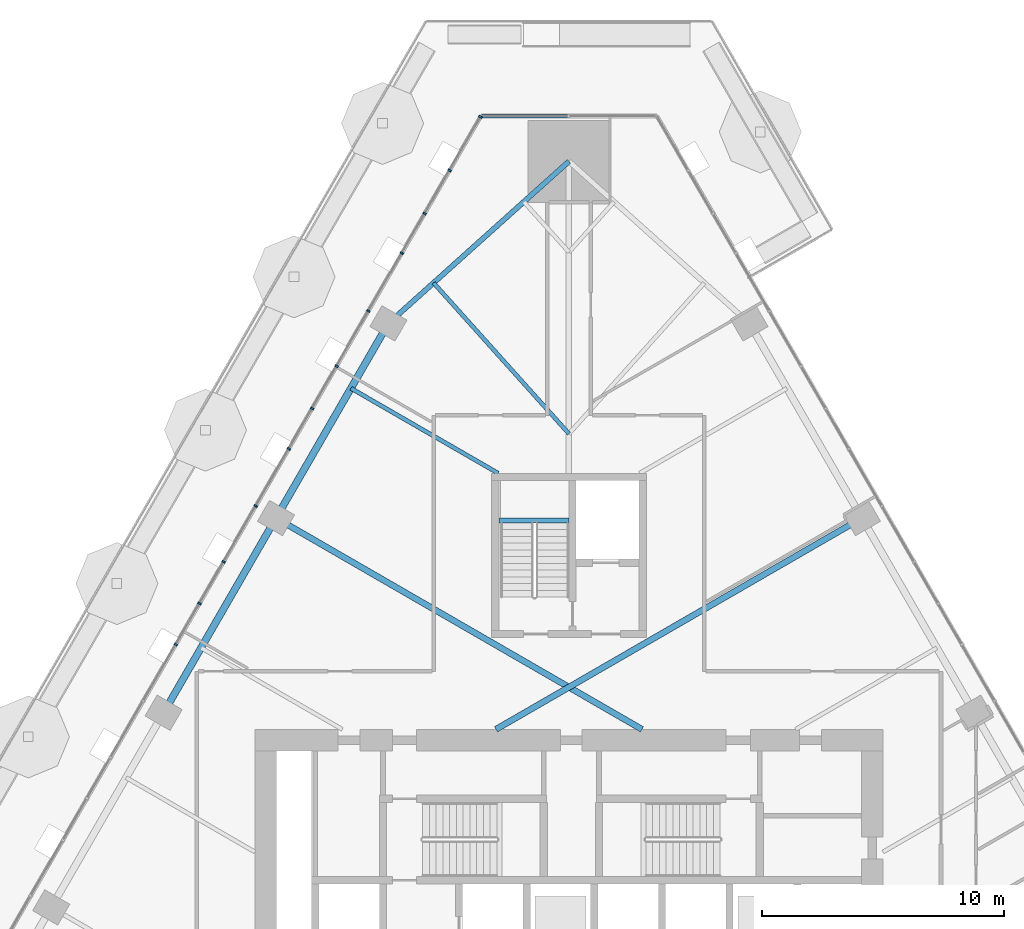
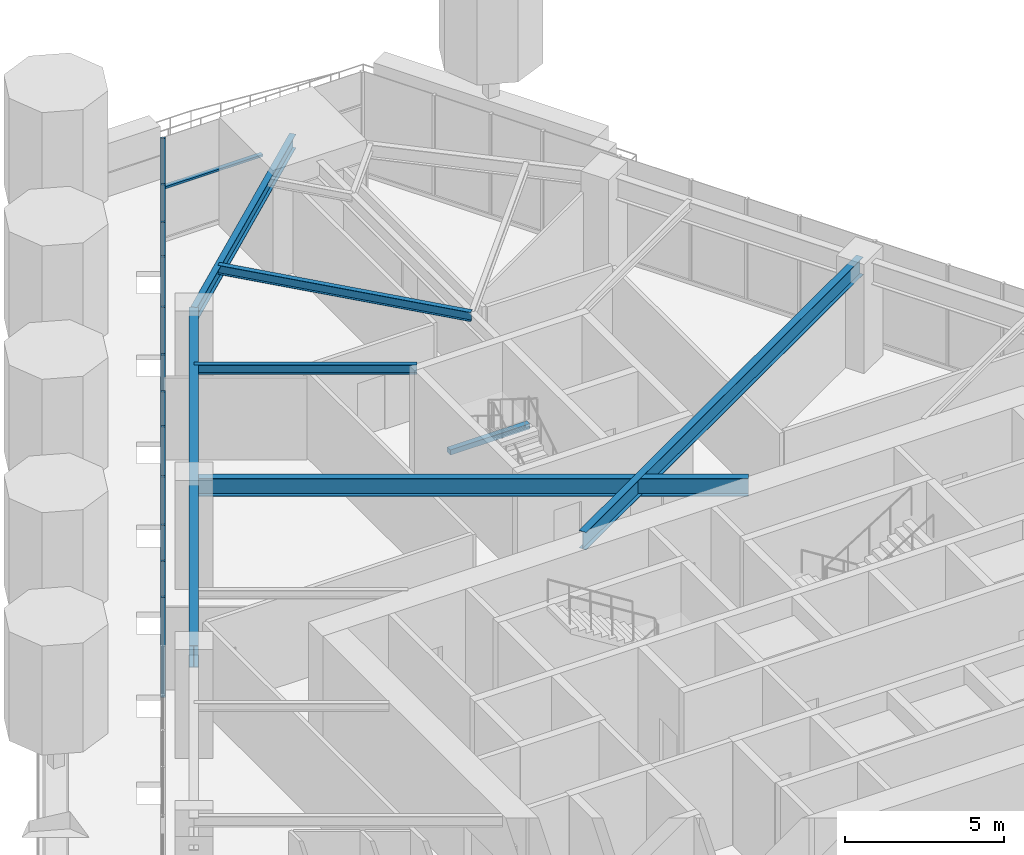
# One storey, part 9 of 25: 13 members, 7 beams, 2 elements without a shape of their own.
"""IFC4 building model written with IfcOpenShell, lengths in metres."""

from ifc_helpers import new_model, si_unit, direction, frame, origin, origin_2d, place, context, subcontext, project, spatial, rectangle, i_section, extrude, material, layer, layer_set, material_profile, profile_set, type_object, element, aggregate, save


model = new_model("IFC4")

# Units and contexts
model_context = context("Model", 3, precision=1e-05, world=origin(), true_north=direction((0.0, 1.0)))
body_context = subcontext(model_context, "Body", "Model", "MODEL_VIEW")
ifc_project = project(units=[si_unit("LENGTHUNIT", "METRE"), si_unit("AREAUNIT", "SQUARE_METRE"), si_unit("VOLUMEUNIT", "CUBIC_METRE"), si_unit("PLANEANGLEUNIT", "RADIAN"), si_unit("MASSUNIT", "GRAM", prefix="KILO")], contexts=[model_context])

# Site, building, storey
site_placement = place(None, origin())
site = spatial("IfcSite", under=ifc_project, at=site_placement, CompositionType="ELEMENT")
building_placement = place(site_placement, origin())
building = spatial("IfcBuilding", under=site, at=building_placement, Name="Firuza Gate Tower and Library", CompositionType="ELEMENT")
storey_placement = place(building_placement, frame((0.0, 0.0, 119.800048828125)))
storey = spatial("IfcBuildingStorey", under=building, at=storey_placement, Name="L27", CompositionType="ELEMENT", Elevation=119.800048828125)

# Curtain wall, members
ifc_material_1 = material(Name="Aluminium 6063-T6", Category="aluminium")
ifc_layer_1 = layer(ifc_material_1, 0.14990234375)
ifc_layer_set_1 = layer_set([ifc_layer_1], Name="Unitised curtain wall, offices")
curtain_wall_type_1 = type_object("IfcCurtainWallType", Name="Unitised curtain wall, offices", PredefinedType="NOTDEFINED", material=ifc_layer_set_1)
placement = place(storey_placement, origin())
curtain_wall_1 = element("IfcCurtainWall", 1, at=placement, inside=storey, type_object=curtain_wall_type_1, Name="CW1 L27 W face", PredefinedType="NOTDEFINED")
ifc_material_2 = material(Name="Aluminium 6063-T6", Category="aluminium")
ifc_material_profile_1 = material_profile(ifc_material_2, rectangle(XDim=0.14990234375, YDim=0.080078125, at=origin_2d()))
ifc_profile_set_1 = profile_set([ifc_material_profile_1], Name="Aluminium 6063-T6")
member_type_1 = type_object("IfcMemberType", Name="Curtain wall mullion 80x150", PredefinedType="MULLION", material=ifc_profile_set_1)
member_1_placement = place(storey_placement, frame((71.336669921875, 109.3525390625, 0.14990234375), z_axis=(0.0, 0.0, 1.0), x_axis=(0.866025403784, -0.5, 0.0)))
member_1 = element("IfcMember", 2, at=member_1_placement, type_object=member_type_1, Name="Mullion", PredefinedType="MULLION", context=body_context, shape_type="SweptSolid", body=[
    extrude(rectangle(XDim=0.14990234375, YDim=0.080078125, at=origin_2d()), origin(), (0.0, 0.0, 1.0), 3.85009765625),
])
member_2_placement = place(storey_placement, frame((69.02685546875, 105.3515625, 0.14990234375), z_axis=(0.0, 0.0, 1.0), x_axis=(0.866025403784, -0.5, 0.0)))
member_2 = element("IfcMember", 3, at=member_2_placement, type_object=member_type_1, Name="Mullion", PredefinedType="MULLION", context=body_context, shape_type="SweptSolid", body=[
    extrude(rectangle(XDim=0.14990234375, YDim=0.080078125, at=origin_2d()), origin(), (0.0, 0.0, 1.0), 3.85009765625),
])
member_3_placement = place(storey_placement, frame((66.697021484375, 101.316162109375, 0.14990234375), z_axis=(0.0, 0.0, 1.0), x_axis=(0.866025403784, -0.5, 0.0)))
member_3 = element("IfcMember", 4, at=member_3_placement, type_object=member_type_1, Name="Mullion", PredefinedType="MULLION", context=body_context, shape_type="SweptSolid", body=[
    extrude(rectangle(XDim=0.14990234375, YDim=0.080078125, at=origin_2d()), origin(), (0.0, 0.0, 1.0), 3.85009765625),
])
member_4_placement = place(storey_placement, frame((64.3671875, 97.28076171875, 0.14990234375), z_axis=(0.0, 0.0, 1.0), x_axis=(0.866025403784, -0.5, 0.0)))
member_4 = element("IfcMember", 5, at=member_4_placement, type_object=member_type_1, Name="Mullion", PredefinedType="MULLION", context=body_context, shape_type="SweptSolid", body=[
    extrude(rectangle(XDim=0.14990234375, YDim=0.080078125, at=origin_2d()), origin(), (0.0, 0.0, 1.0), 3.85009765625),
])
member_5_placement = place(storey_placement, frame((62.037109375, 93.245361328125, 0.14990234375), z_axis=(0.0, 0.0, 1.0), x_axis=(0.866025403784, -0.5, 0.0)))
member_5 = element("IfcMember", 6, at=member_5_placement, type_object=member_type_1, Name="Mullion", PredefinedType="MULLION", context=body_context, shape_type="SweptSolid", body=[
    extrude(rectangle(XDim=0.14990234375, YDim=0.080078125, at=origin_2d()), origin(), (0.0, 0.0, 1.0), 3.85009765625),
])
member_6_placement = place(storey_placement, frame((59.707275390625, 89.209716796875, 0.14990234375), z_axis=(0.0, 0.0, 1.0), x_axis=(0.866025403784, -0.5, 0.0)))
member_6 = element("IfcMember", 7, at=member_6_placement, type_object=member_type_1, Name="Mullion", PredefinedType="MULLION", context=body_context, shape_type="SweptSolid", body=[
    extrude(rectangle(XDim=0.14990234375, YDim=0.080078125, at=origin_2d()), origin(), (0.0, 0.0, 1.0), 3.85009765625),
])
member_7_placement = place(storey_placement, frame((70.058349609375, 107.138427734375, 0.14990234375), z_axis=(0.0, 0.0, 1.0), x_axis=(0.866025403784, -0.5, 0.0)))
member_7 = element("IfcMember", 8, at=member_7_placement, type_object=member_type_1, Name="Mullion", PredefinedType="MULLION", context=body_context, shape_type="SweptSolid", body=[
    extrude(rectangle(XDim=0.14990234375, YDim=0.080078125, at=origin_2d()), origin(), (0.0, 0.0, 1.0), 3.85009765625),
])
member_8_placement = place(storey_placement, frame((68.08203125, 103.715087890625, 0.14990234375), z_axis=(0.0, 0.0, 1.0), x_axis=(0.866025403784, -0.5, 0.0)))
member_8 = element("IfcMember", 9, at=member_8_placement, type_object=member_type_1, Name="Mullion", PredefinedType="MULLION", context=body_context, shape_type="SweptSolid", body=[
    extrude(rectangle(XDim=0.14990234375, YDim=0.080078125, at=origin_2d()), origin(), (0.0, 0.0, 1.0), 3.85009765625),
])
member_9_placement = place(storey_placement, frame((65.38134765625, 99.03759765625, 0.14990234375), z_axis=(0.0, 0.0, 1.0), x_axis=(0.866025403784, -0.5, 0.0)))
member_9 = element("IfcMember", 10, at=member_9_placement, type_object=member_type_1, Name="Mullion", PredefinedType="MULLION", context=body_context, shape_type="SweptSolid", body=[
    extrude(rectangle(XDim=0.14990234375, YDim=0.080078125, at=origin_2d()), origin(), (0.0, 0.0, 1.0), 3.85009765625),
])
member_10_placement = place(storey_placement, frame((63.40478515625, 95.6142578125, 0.14990234375), z_axis=(0.0, 0.0, 1.0), x_axis=(0.866025403784, -0.5, 0.0)))
member_10 = element("IfcMember", 11, at=member_10_placement, type_object=member_type_1, Name="Mullion", PredefinedType="MULLION", context=body_context, shape_type="SweptSolid", body=[
    extrude(rectangle(XDim=0.14990234375, YDim=0.080078125, at=origin_2d()), origin(), (0.0, 0.0, 1.0), 3.85009765625),
])
member_11_placement = place(storey_placement, frame((60.704345703125, 90.9365234375, 0.14990234375), z_axis=(0.0, 0.0, 1.0), x_axis=(0.866025403784, -0.5, 0.0)))
member_11 = element("IfcMember", 12, at=member_11_placement, type_object=member_type_1, Name="Mullion", PredefinedType="MULLION", context=body_context, shape_type="SweptSolid", body=[
    extrude(rectangle(XDim=0.14990234375, YDim=0.080078125, at=origin_2d()), origin(), (0.0, 0.0, 1.0), 3.85009765625),
])
member_12_placement = place(storey_placement, frame((58.727783203125, 87.51318359375, 0.14990234375), z_axis=(0.0, 0.0, 1.0), x_axis=(0.866025403784, -0.5, 0.0)))
member_12 = element("IfcMember", 13, at=member_12_placement, type_object=member_type_1, Name="Mullion", PredefinedType="MULLION", context=body_context, shape_type="SweptSolid", body=[
    extrude(rectangle(XDim=0.14990234375, YDim=0.080078125, at=origin_2d()), origin(), (0.0, 0.0, 1.0), 3.85009765625),
])
aggregate(curtain_wall_1, [member_1, member_2, member_3, member_4, member_5, member_6, member_7, member_8, member_9, member_10, member_11, member_12])

# Curtain wall, member
ifc_material_3 = material(Name="Aluminium 6063-T6", Category="aluminium")
ifc_layer_2 = layer(ifc_material_3, 0.14990234375)
ifc_layer_set_2 = layer_set([ifc_layer_2], Name="Corner curtain wall, chamfers")
curtain_wall_type_2 = type_object("IfcCurtainWallType", Name="Corner curtain wall, chamfers", PredefinedType="NOTDEFINED", material=ifc_layer_set_2)
curtain_wall_2 = element("IfcCurtainWall", 14, at=placement, inside=storey, type_object=curtain_wall_type_2, Name="CW4 L27 N corner", PredefinedType="NOTDEFINED")
ifc_material_4 = material(Name="Aluminium 6063-T6", Category="aluminium")
ifc_material_profile_2 = material_profile(ifc_material_4, rectangle(XDim=0.14990234375, YDim=0.080078125, at=origin_2d()))
ifc_profile_set_2 = profile_set([ifc_material_profile_2], Name="Aluminium 6063-T6")
member_type_2 = type_object("IfcMemberType", Name="Curtain wall transom 80x150", PredefinedType="USERDEFINED", material=ifc_profile_set_2)
member_13_placement = place(storey_placement, frame((74.9599609375, 109.38720703125, 2.074951171875), z_axis=(-1.0, 0.0, 0.0), x_axis=(0.0, -1.0, 0.0)))
member_13 = element("IfcMember", 15, at=member_13_placement, type_object=member_type_2, Name="Transom", ObjectType="TRANSOM", PredefinedType="USERDEFINED", context=body_context, shape_type="SweptSolid", body=[
    extrude(rectangle(XDim=0.14990234375, YDim=0.080078125, at=origin_2d()), origin(), (0.0, 0.0, 1.0), 3.563232421875),
])
aggregate(curtain_wall_2, [member_13])

# Beams
ifc_material_5 = material(Name="Concrete C35/45", Category="concrete")
ifc_material_profile_3 = material_profile(ifc_material_5, rectangle(XDim=0.199951171875, YDim=0.199951171875, at=origin_2d()))
ifc_profile_set_3 = profile_set([ifc_material_profile_3], Name="Concrete C35/45")
beam_type_1 = type_object("IfcBeamType", Name="Stair landing bearer 200x200", PredefinedType="BEAM", material=ifc_profile_set_3)
beam_1_placement = place(storey_placement, frame((75.0, 92.64990234375, 1.800048828125), z_axis=(-1.0, 0.0, 0.0), x_axis=(0.0, -1.0, 0.0)))
element("IfcBeam", 16, at=beam_1_placement, inside=storey, type_object=beam_type_1, Name="Landing bearer L27 stair 3", PredefinedType="BEAM", context=body_context, shape_type="SweptSolid", body=[
    extrude(rectangle(XDim=0.199951171875, YDim=0.199951171875, at=origin_2d()), origin(), (0.0, 0.0, 1.0), 2.89990234375),
])
ifc_material_6 = material(Name="Steel S355", Category="steel")
ifc_material_profile_4 = material_profile(ifc_material_6, i_section(OverallWidth=0.1708984375, OverallDepth=0.35498046875, WebThickness=0.007080078125, FlangeThickness=0.01171875, at=origin_2d()))
ifc_profile_set_4 = profile_set([ifc_material_profile_4], Name="Steel S355")
beam_type_2 = type_object("IfcBeamType", Name="W360x51 Floor beam", PredefinedType="JOIST", material=ifc_profile_set_4)
beam_2_placement = place(storey_placement, frame((69.395263671875, 102.480712890625, 3.822509765625), z_axis=(0.668006027086, -0.744155862556, 0.0), x_axis=(0.744155862556, 0.668006027086, 0.0)))
element("IfcBeam", 17, at=beam_2_placement, inside=storey, type_object=beam_type_2, Name="Floor beam L27 s71", PredefinedType="JOIST", context=body_context, shape_type="SweptSolid", body=[
    extrude(i_section(OverallWidth=0.1708984375, OverallDepth=0.35498046875, WebThickness=0.007080078125, FlangeThickness=0.01171875, at=origin_2d()), origin(), (0.0, 0.0, 1.0), 8.39013671875),
])
beam_3_placement = place(storey_placement, frame((65.97607421875, 98.11767578125, 3.822509765625), z_axis=(0.866022037233, -0.500005830994, 0.0), x_axis=(0.500005830994, 0.866022037233, 0.0)))
element("IfcBeam", 18, at=beam_3_placement, inside=storey, type_object=beam_type_2, Name="Floor beam L27 s80", PredefinedType="JOIST", context=body_context, shape_type="SweptSolid", body=[
    extrude(i_section(OverallWidth=0.1708984375, OverallDepth=0.35498046875, WebThickness=0.007080078125, FlangeThickness=0.01171875, at=origin_2d()), origin(), (0.0, 0.0, 1.0), 7.03515625),
])
ifc_material_7 = material(Name="Steel S355", Category="steel")
ifc_material_profile_5 = material_profile(ifc_material_7, i_section(OverallWidth=0.212890625, OverallDepth=0.5390625, WebThickness=0.01171875, FlangeThickness=0.018798828125, at=origin_2d()))
ifc_profile_set_5 = profile_set([ifc_material_profile_5], Name="Steel S355")
beam_type_3 = type_object("IfcBeamType", Name="W530x109 Edge beam", PredefinedType="SPANDREL", material=ifc_profile_set_5)
beam_4_placement = place(storey_placement, frame((75.0, 107.51220703125, 3.73046875), z_axis=(-0.744151797704, -0.668010555286, 0.0), x_axis=(0.668010555286, -0.744151797704, 0.0)))
element("IfcBeam", 19, at=beam_4_placement, inside=storey, type_object=beam_type_3, Name="Edge beam L27 e70", PredefinedType="SPANDREL", context=body_context, shape_type="SweptSolid", body=[
    extrude(i_section(OverallWidth=0.212890625, OverallDepth=0.5390625, WebThickness=0.01171875, FlangeThickness=0.018798828125, at=origin_2d()), origin(), (0.0, 0.0, 1.0), 10.04248046875),
])
ifc_material_8 = material(Name="Steel S355", Category="steel")
ifc_material_profile_6 = material_profile(ifc_material_8, i_section(OverallWidth=0.2529296875, OverallDepth=0.677978515625, WebThickness=0.01171875, FlangeThickness=0.016357421875, at=origin_2d()))
ifc_profile_set_6 = profile_set([ifc_material_profile_6], Name="Steel S355")
beam_type_4 = type_object("IfcBeamType", Name="W690x125 Floor beam", PredefinedType="JOIST", material=ifc_profile_set_6)
for number, where, z_axis, x_axis, name in (
    (20, (87.125732421875, 92.745361328125, 3.660888671875), (-0.86602612969, -0.499998742693, 0.0), (0.499998742693, -0.86602612969, 0.0), "Floor beam L27 s54"),
    (21, (62.874267578125, 92.745361328125, 3.660888671875), (0.86602612969, -0.499998742693, 0.0), (0.499998742693, 0.86602612969, 0.0), "Floor beam L27 s81"),
):
    element("IfcBeam", number, at=place(storey_placement, frame(where, z_axis=z_axis, x_axis=x_axis)), inside=storey, type_object=beam_type_4, Name=name, PredefinedType="JOIST", context=body_context, shape_type="SweptSolid", body=[
        extrude(i_section(OverallWidth=0.2529296875, OverallDepth=0.677978515625, WebThickness=0.01171875, FlangeThickness=0.016357421875, at=origin_2d()), origin(), (0.0, 0.0, 1.0), 17.49072265625),
    ])
ifc_material_9 = material(Name="Steel S355", Category="steel")
ifc_material_profile_7 = material_profile(ifc_material_9, i_section(OverallWidth=0.2919921875, OverallDepth=0.8349609375, WebThickness=0.013916015625, FlangeThickness=0.018798828125, at=origin_2d()))
ifc_profile_set_7 = profile_set([ifc_material_profile_7], Name="Steel S355")
beam_type_5 = type_object("IfcBeamType", Name="W840x176 Edge beam", PredefinedType="SPANDREL", material=ifc_profile_set_7)
beam_5_placement = place(storey_placement, frame((67.52685546875, 100.8037109375, 3.58251953125), z_axis=(-0.499992345027, -0.86602982334, 0.0), x_axis=(0.86602982334, -0.499992345027, 0.0)))
element("IfcBeam", 22, at=beam_5_placement, inside=storey, type_object=beam_type_5, Name="Edge beam L27 e80", PredefinedType="SPANDREL", context=body_context, shape_type="SweptSolid", body=[
    extrude(i_section(OverallWidth=0.2919921875, OverallDepth=0.8349609375, WebThickness=0.013916015625, FlangeThickness=0.018798828125, at=origin_2d()), origin(), (0.0, 0.0, 1.0), 18.610107421875),
])

save(model, "model.ifc")
